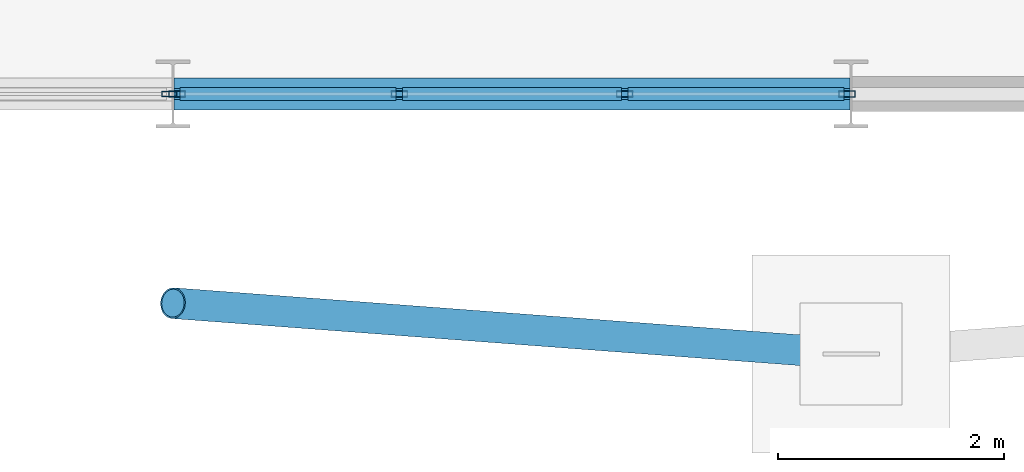
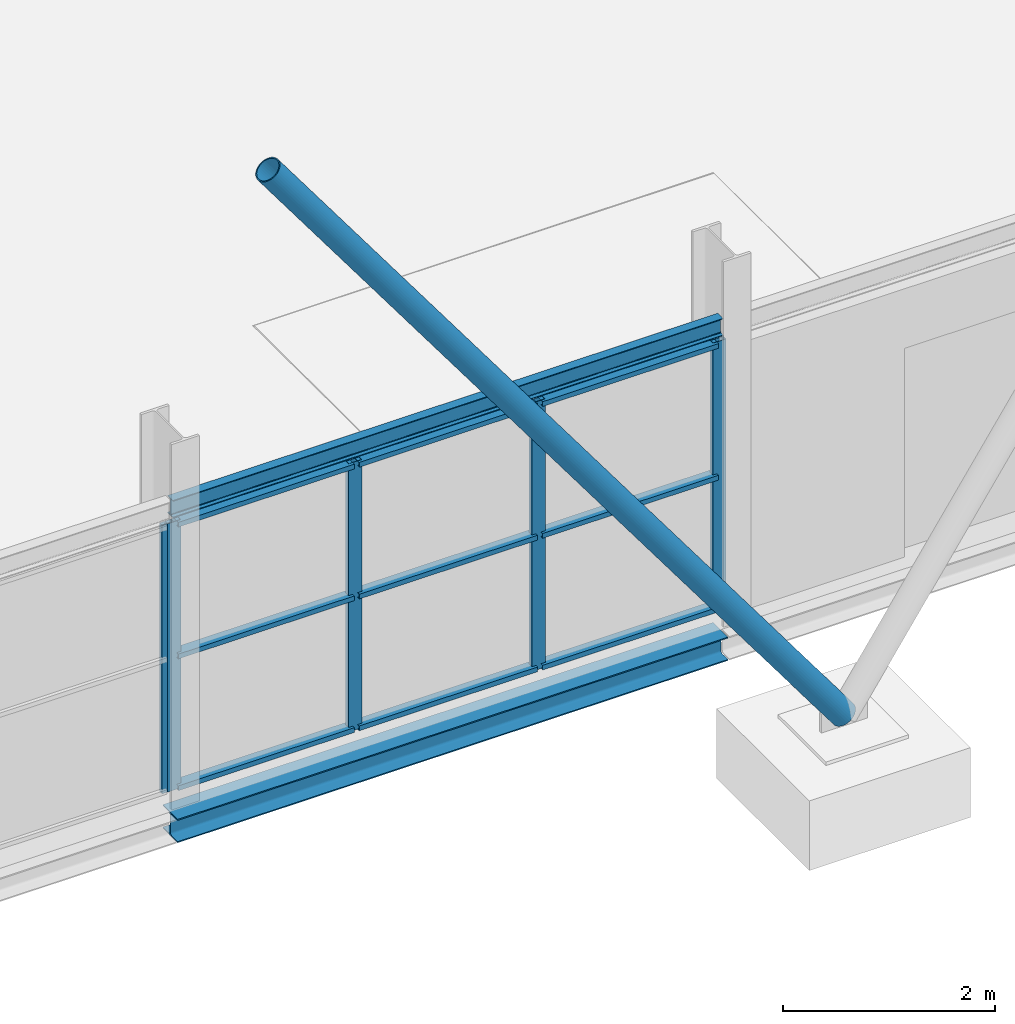
# One storey, part 24 of 140: 15 members, 2 beams, 2 elements without a shape of their own.
"""IFC4 building model written with IfcOpenShell, lengths in metres."""

from ifc_helpers import new_model, si_unit, direction, frame, origin, origin_2d, place, context, subcontext, project, spatial, hollow_rectangle, hollow_circle, i_section, extrude, material, layer, layer_set, material_profile, profile_set, type_object, element, aggregate, save


model = new_model("IFC4")

# Units and contexts
model_context = context("Model", 3, precision=1e-05, world=origin(), true_north=direction((0.0, 1.0)))
body_context = subcontext(model_context, "Body", "Model", "MODEL_VIEW")
ifc_project = project(units=[si_unit("LENGTHUNIT", "METRE"), si_unit("AREAUNIT", "SQUARE_METRE"), si_unit("VOLUMEUNIT", "CUBIC_METRE"), si_unit("PLANEANGLEUNIT", "RADIAN"), si_unit("MASSUNIT", "GRAM", prefix="KILO")], contexts=[model_context])

# Site, building, storey
site_placement = place(None, origin())
site = spatial("IfcSite", under=ifc_project, at=site_placement, CompositionType="ELEMENT")
building_placement = place(site_placement, origin())
building = spatial("IfcBuilding", under=site, at=building_placement, Name="Deido Ridge Mobility Hub", CompositionType="ELEMENT")
storey_placement = place(building_placement, origin())
storey = spatial("IfcBuildingStorey", under=building, at=storey_placement, Name="L00", CompositionType="ELEMENT", Elevation=0.0)

# Beam
ifc_material_1 = material(Name="Steel S355J2 EN 10025-2", Category="steel")
ifc_material_profile_1 = material_profile(ifc_material_1, i_section(OverallWidth=0.10009765625, OverallDepth=0.199951171875, WebThickness=0.005615234375, FlangeThickness=0.008544921875, FilletRadius=0.011962890625, at=origin_2d()), Name="IPE 200")
ifc_profile_set_1 = profile_set([ifc_material_profile_1], Name="Steel S355J2 EN 10025-2")
beam_type_1 = type_object("IfcBeamType", Name="LNT-IPE200", PredefinedType="LINTEL", material=ifc_profile_set_1)
beam_1_placement = place(storey_placement, frame((6.0078125, 0.0, 3.25), z_axis=(1.0, 0.0, 0.0), x_axis=(0.0, 1.0, 0.0)))
element("IfcBeam", 1, at=beam_1_placement, inside=storey, type_object=beam_type_1, Name="Opening lintel LN2", PredefinedType="LINTEL", context=body_context, shape_type="SweptSolid", body=[
    extrude(i_section(OverallWidth=0.10009765625, OverallDepth=0.199951171875, WebThickness=0.005615234375, FlangeThickness=0.008544921875, FilletRadius=0.011962890625, at=origin_2d()), origin(), (0.0, 0.0, 1.0), 5.984375),
])

# Member
ifc_material_2 = material(Name="Steel S355J2H EN 10210-1", Category="steel")
ifc_material_profile_2 = material_profile(ifc_material_2, hollow_circle(Radius=0.136474609375, WallThickness=0.012451171875, at=origin_2d()), Name="CHS 273x12.5")
ifc_profile_set_2 = profile_set([ifc_material_profile_2], Name="Steel S355J2H EN 10210-1")
member_type_1 = type_object("IfcMemberType", Name="MEM-BRC-CHS273", PredefinedType="BRACE", material=ifc_profile_set_2)
member_1_placement = place(storey_placement, frame((12.0, -2.300048828125, 0.1650390625), z_axis=(-0.595347530375, 0.044646219828, 0.80222692122), x_axis=(-0.074781878398, -0.997199915094, 0.0)))
element("IfcMember", 2, at=member_1_placement, inside=storey, type_object=member_type_1, Name="Deconstructivist exoskeleton raked V-strut BR1", PredefinedType="BRACE", context=body_context, shape_type="SweptSolid", body=[
    extrude(hollow_circle(Radius=0.136474609375, WallThickness=0.012451171875, at=origin_2d()), origin(), (0.0, 0.0, 1.0), 10.078125),
])

# Curtain wall, member
ifc_material_3 = material(Name="Anodised aluminium EN AW-6063 T6", Category="aluminium")
ifc_layer_1 = layer(ifc_material_3, 0.1650390625, Name="Anodised aluminium EN AW-6063 T6")
ifc_layer_set_1 = layer_set([ifc_layer_1], Name="Anodised aluminium EN AW-6063 T6")
curtain_wall_type_1 = type_object("IfcCurtainWallType", Name="CW-UF-1", PredefinedType="USERDEFINED", material=ifc_layer_set_1)
curtain_wall_1_placement = place(storey_placement, origin())
curtain_wall_1 = element("IfcCurtainWall", 3, at=curtain_wall_1_placement, inside=storey, type_object=curtain_wall_type_1, Name="Unitised curtain wall CW1", ObjectType="UNITISED FACADE", PredefinedType="USERDEFINED")
ifc_material_profile_3 = material_profile(ifc_material_3, hollow_rectangle(XDim=0.050048828125, YDim=0.1298828125, WallThickness=0.00390625, at=origin_2d()), Name="RHS 50x130x4")
ifc_profile_set_3 = profile_set([ifc_material_profile_3], Name="Anodised aluminium EN AW-6063 T6")
member_type_2 = type_object("IfcMemberType", Name="MEM-MUL-50X130", PredefinedType="MULLION", material=ifc_profile_set_3)
member_2_placement = place(storey_placement, frame((5.96728515625, 0.0, 0.0), z_axis=(0.0, 0.0, 1.0), x_axis=(0.0, 1.0, 0.0)))
member_2 = element("IfcMember", 4, at=member_2_placement, type_object=member_type_2, Name="CW1 mullion 4", PredefinedType="MULLION", context=body_context, shape_type="SweptSolid", body=[
    extrude(hollow_rectangle(XDim=0.050048828125, YDim=0.1298828125, WallThickness=0.00390625, at=origin_2d()), origin(), (0.0, 0.0, 1.0), 3.0849609375),
])
aggregate(curtain_wall_1, [member_2])

# Curtain wall, members
ifc_layer_2 = layer(ifc_material_3, 0.179931640625, Name="Anodised aluminium EN AW-6063 T6")
ifc_layer_set_2 = layer_set([ifc_layer_2], Name="Anodised aluminium EN AW-6063 T6")
curtain_wall_type_2 = type_object("IfcCurtainWallType", Name="CW-UF-2", PredefinedType="USERDEFINED", material=ifc_layer_set_2)
curtain_wall_2_placement = place(storey_placement, origin())
curtain_wall_2 = element("IfcCurtainWall", 5, at=curtain_wall_2_placement, inside=storey, type_object=curtain_wall_type_2, Name="Unitised curtain wall CW2", ObjectType="UNITISED FACADE", PredefinedType="USERDEFINED")
ifc_material_profile_4 = material_profile(ifc_material_3, hollow_rectangle(XDim=0.054931640625, YDim=0.14501953125, WallThickness=0.00390625, at=origin_2d()), Name="RHS 55x145x4")
ifc_profile_set_4 = profile_set([ifc_material_profile_4], Name="Anodised aluminium EN AW-6063 T6")
member_type_3 = type_object("IfcMemberType", Name="MEM-MUL-55X145", PredefinedType="MULLION", material=ifc_profile_set_4)
member_3_placement = place(storey_placement, frame((6.03515625, 0.0, 0.0), z_axis=(0.0, 0.0, 1.0), x_axis=(0.0, 1.0, 0.0)))
member_3 = element("IfcMember", 6, at=member_3_placement, type_object=member_type_3, Name="CW2 mullion 1", PredefinedType="MULLION", context=body_context, shape_type="SweptSolid", body=[
    extrude(hollow_rectangle(XDim=0.054931640625, YDim=0.14501953125, WallThickness=0.00390625, at=origin_2d()), origin(), (0.0, 0.0, 1.0), 3.0849609375),
])
member_4_placement = place(storey_placement, frame((8.002685546875, 0.0, 0.0), z_axis=(0.0, 0.0, 1.0), x_axis=(0.0, 1.0, 0.0)))
member_4 = element("IfcMember", 7, at=member_4_placement, type_object=member_type_3, Name="CW2 mullion 2", PredefinedType="MULLION", context=body_context, shape_type="SweptSolid", body=[
    extrude(hollow_rectangle(XDim=0.054931640625, YDim=0.14501953125, WallThickness=0.00390625, at=origin_2d()), origin(), (0.0, 0.0, 1.0), 3.0849609375),
])
member_5_placement = place(storey_placement, frame((9.997314453125, 0.0, 0.0), z_axis=(0.0, 0.0, 1.0), x_axis=(0.0, 1.0, 0.0)))
member_5 = element("IfcMember", 8, at=member_5_placement, type_object=member_type_3, Name="CW2 mullion 3", PredefinedType="MULLION", context=body_context, shape_type="SweptSolid", body=[
    extrude(hollow_rectangle(XDim=0.054931640625, YDim=0.14501953125, WallThickness=0.00390625, at=origin_2d()), origin(), (0.0, 0.0, 1.0), 3.0849609375),
])
member_6_placement = place(storey_placement, frame((11.96484375, 0.0, 0.0), z_axis=(0.0, 0.0, 1.0), x_axis=(0.0, 1.0, 0.0)))
member_6 = element("IfcMember", 9, at=member_6_placement, type_object=member_type_3, Name="CW2 mullion 4", PredefinedType="MULLION", context=body_context, shape_type="SweptSolid", body=[
    extrude(hollow_rectangle(XDim=0.054931640625, YDim=0.14501953125, WallThickness=0.00390625, at=origin_2d()), origin(), (0.0, 0.0, 1.0), 3.0849609375),
])
ifc_material_profile_5 = material_profile(ifc_material_3, hollow_rectangle(XDim=0.114990234375, YDim=0.054931640625, WallThickness=0.00390625, at=origin_2d()), Name="RHS 115x55x4")
ifc_profile_set_5 = profile_set([ifc_material_profile_5], Name="Anodised aluminium EN AW-6063 T6")
member_type_4 = type_object("IfcMemberType", Name="MEM-TRN-115X55", PredefinedType="USERDEFINED", material=ifc_profile_set_5)
member_7_placement = place(storey_placement, frame((6.062744140625, 0.0, 0.027587890625), z_axis=(1.0, 0.0, 0.0), x_axis=(0.0, 1.0, 0.0)))
member_7 = element("IfcMember", 10, at=member_7_placement, type_object=member_type_4, Name="CW2 transom 1.1", ObjectType="TRANSOM", PredefinedType="USERDEFINED", context=body_context, shape_type="SweptSolid", body=[
    extrude(hollow_rectangle(XDim=0.114990234375, YDim=0.054931640625, WallThickness=0.00390625, at=origin_2d()), origin(), (0.0, 0.0, 1.0), 1.912353515625),
])
member_8_placement = place(storey_placement, frame((6.062744140625, 0.0, 1.54248046875), z_axis=(1.0, 0.0, 0.0), x_axis=(0.0, 1.0, 0.0)))
member_8 = element("IfcMember", 11, at=member_8_placement, type_object=member_type_4, Name="CW2 transom 1.2", ObjectType="TRANSOM", PredefinedType="USERDEFINED", context=body_context, shape_type="SweptSolid", body=[
    extrude(hollow_rectangle(XDim=0.114990234375, YDim=0.054931640625, WallThickness=0.00390625, at=origin_2d()), origin(), (0.0, 0.0, 1.0), 1.912353515625),
])
member_9_placement = place(storey_placement, frame((6.062744140625, 0.0, 3.0576171875), z_axis=(1.0, 0.0, 0.0), x_axis=(0.0, 1.0, 0.0)))
member_9 = element("IfcMember", 12, at=member_9_placement, type_object=member_type_4, Name="CW2 transom 1.3", ObjectType="TRANSOM", PredefinedType="USERDEFINED", context=body_context, shape_type="SweptSolid", body=[
    extrude(hollow_rectangle(XDim=0.114990234375, YDim=0.054931640625, WallThickness=0.00390625, at=origin_2d()), origin(), (0.0, 0.0, 1.0), 1.912353515625),
])
member_10_placement = place(storey_placement, frame((8.030029296875, 0.0, 0.027587890625), z_axis=(1.0, 0.0, 0.0), x_axis=(0.0, 1.0, 0.0)))
member_10 = element("IfcMember", 13, at=member_10_placement, type_object=member_type_4, Name="CW2 transom 2.1", ObjectType="TRANSOM", PredefinedType="USERDEFINED", context=body_context, shape_type="SweptSolid", body=[
    extrude(hollow_rectangle(XDim=0.114990234375, YDim=0.054931640625, WallThickness=0.00390625, at=origin_2d()), origin(), (0.0, 0.0, 1.0), 1.93994140625),
])
member_11_placement = place(storey_placement, frame((8.030029296875, 0.0, 1.54248046875), z_axis=(1.0, 0.0, 0.0), x_axis=(0.0, 1.0, 0.0)))
member_11 = element("IfcMember", 14, at=member_11_placement, type_object=member_type_4, Name="CW2 transom 2.2", ObjectType="TRANSOM", PredefinedType="USERDEFINED", context=body_context, shape_type="SweptSolid", body=[
    extrude(hollow_rectangle(XDim=0.114990234375, YDim=0.054931640625, WallThickness=0.00390625, at=origin_2d()), origin(), (0.0, 0.0, 1.0), 1.93994140625),
])
member_12_placement = place(storey_placement, frame((8.030029296875, 0.0, 3.0576171875), z_axis=(1.0, 0.0, 0.0), x_axis=(0.0, 1.0, 0.0)))
member_12 = element("IfcMember", 15, at=member_12_placement, type_object=member_type_4, Name="CW2 transom 2.3", ObjectType="TRANSOM", PredefinedType="USERDEFINED", context=body_context, shape_type="SweptSolid", body=[
    extrude(hollow_rectangle(XDim=0.114990234375, YDim=0.054931640625, WallThickness=0.00390625, at=origin_2d()), origin(), (0.0, 0.0, 1.0), 1.93994140625),
])
member_13_placement = place(storey_placement, frame((10.02490234375, 0.0, 0.027587890625), z_axis=(1.0, 0.0, 0.0), x_axis=(0.0, 1.0, 0.0)))
member_13 = element("IfcMember", 16, at=member_13_placement, type_object=member_type_4, Name="CW2 transom 3.1", ObjectType="TRANSOM", PredefinedType="USERDEFINED", context=body_context, shape_type="SweptSolid", body=[
    extrude(hollow_rectangle(XDim=0.114990234375, YDim=0.054931640625, WallThickness=0.00390625, at=origin_2d()), origin(), (0.0, 0.0, 1.0), 1.912353515625),
])
member_14_placement = place(storey_placement, frame((10.02490234375, 0.0, 1.54248046875), z_axis=(1.0, 0.0, 0.0), x_axis=(0.0, 1.0, 0.0)))
member_14 = element("IfcMember", 17, at=member_14_placement, type_object=member_type_4, Name="CW2 transom 3.2", ObjectType="TRANSOM", PredefinedType="USERDEFINED", context=body_context, shape_type="SweptSolid", body=[
    extrude(hollow_rectangle(XDim=0.114990234375, YDim=0.054931640625, WallThickness=0.00390625, at=origin_2d()), origin(), (0.0, 0.0, 1.0), 1.912353515625),
])
member_15_placement = place(storey_placement, frame((10.02490234375, 0.0, 3.0576171875), z_axis=(1.0, 0.0, 0.0), x_axis=(0.0, 1.0, 0.0)))
member_15 = element("IfcMember", 18, at=member_15_placement, type_object=member_type_4, Name="CW2 transom 3.3", ObjectType="TRANSOM", PredefinedType="USERDEFINED", context=body_context, shape_type="SweptSolid", body=[
    extrude(hollow_rectangle(XDim=0.114990234375, YDim=0.054931640625, WallThickness=0.00390625, at=origin_2d()), origin(), (0.0, 0.0, 1.0), 1.912353515625),
])
aggregate(curtain_wall_2, [member_3, member_4, member_5, member_6, member_7, member_8, member_9, member_10, member_11, member_12, member_13, member_14, member_15])

# Beam
ifc_material_profile_6 = material_profile(ifc_material_1, i_section(OverallWidth=0.280029296875, OverallDepth=0.27001953125, WebThickness=0.008056640625, FlangeThickness=0.012939453125, FilletRadius=0.02392578125, at=origin_2d()), Name="HEA 280")
ifc_profile_set_6 = profile_set([ifc_material_profile_6], Name="Steel S355J2 EN 10025-2")
beam_type_2 = type_object("IfcBeamType", Name="SPD-HEA280", PredefinedType="SPANDREL", material=ifc_profile_set_6)
beam_2_placement = place(storey_placement, frame((6.0078125, 0.0, -0.39501953125), z_axis=(1.0, 0.0, 0.0), x_axis=(0.0, 1.0, 0.0)))
element("IfcBeam", 19, at=beam_2_placement, inside=storey, type_object=beam_type_2, Name="Floor beam SP2", PredefinedType="SPANDREL", context=body_context, shape_type="SweptSolid", body=[
    extrude(i_section(OverallWidth=0.280029296875, OverallDepth=0.27001953125, WebThickness=0.008056640625, FlangeThickness=0.012939453125, FilletRadius=0.02392578125, at=origin_2d()), origin(), (0.0, 0.0, 1.0), 5.984375),
])

save(model, "model.ifc")
